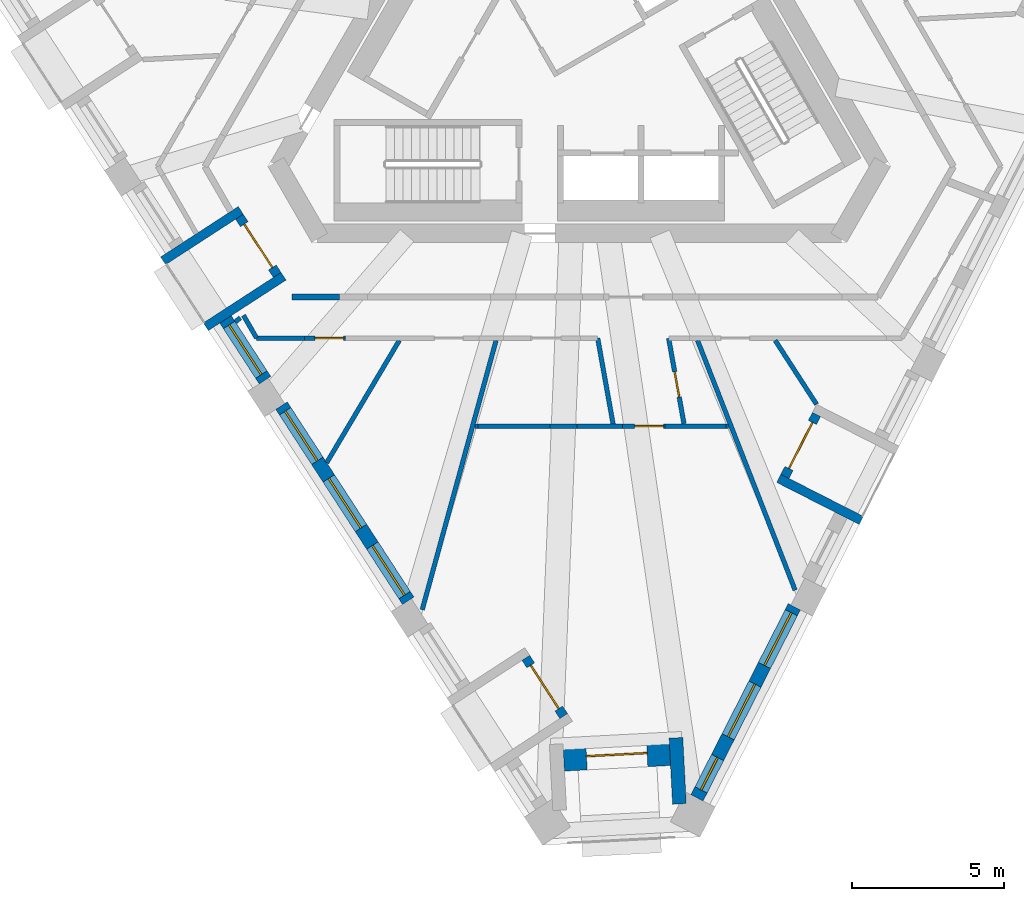
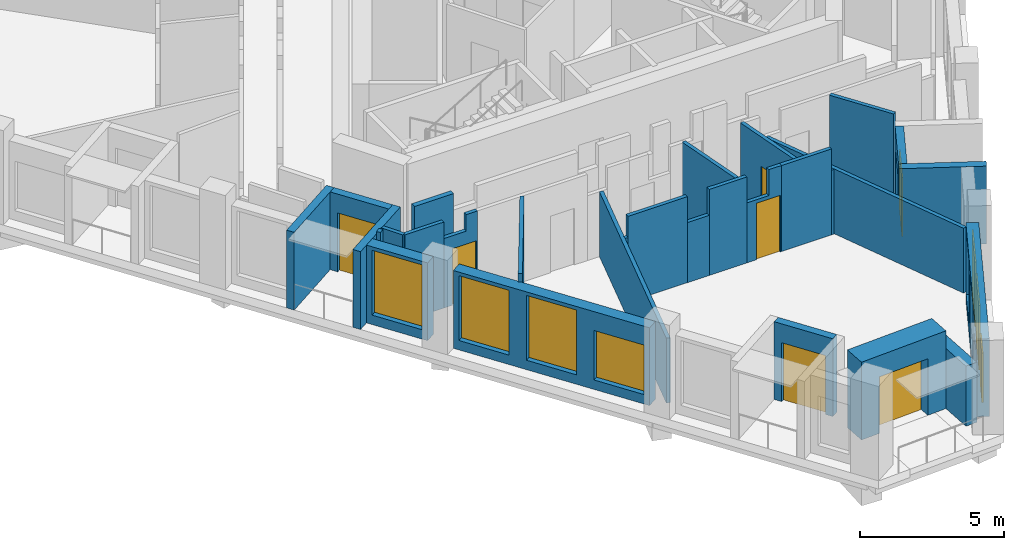
# One storey, part 2 of 12: 29 walls, 7 doors, 7 windows, 14 openings.
"""IFC4 building model written with IfcOpenShell, lengths in metres."""

from ifc_helpers import new_model, si_unit, direction, frame, frame_2d, origin, place, context, subcontext, project, spatial, polyline, rectangle, outline, extrude, material, layer, layer_set, type_object, element, fill, save


model = new_model("IFC4")

# Units and contexts
model_context = context("Model", 3, precision=1e-05, world=origin(), true_north=direction((0.0, 1.0)))
body_context = subcontext(model_context, "Body", "Model", "MODEL_VIEW")
ifc_project = project(units=[si_unit("LENGTHUNIT", "METRE"), si_unit("AREAUNIT", "SQUARE_METRE"), si_unit("VOLUMEUNIT", "CUBIC_METRE"), si_unit("PLANEANGLEUNIT", "RADIAN"), si_unit("MASSUNIT", "GRAM", prefix="KILO")], contexts=[model_context])

# Site, building, storey
site_placement = place(None, origin())
site = spatial("IfcSite", under=ifc_project, at=site_placement, CompositionType="ELEMENT")
building_placement = place(site_placement, origin())
building = spatial("IfcBuilding", under=site, at=building_placement, Name="Tramontana Tower", CompositionType="ELEMENT")
storey_placement = place(building_placement, frame((0.0, 0.0, 282.39990234375)))
storey = spatial("IfcBuildingStorey", under=building, at=storey_placement, Name="L66", CompositionType="ELEMENT", Elevation=282.39990234375)

# Wall
ifc_material_1 = material(Name="Blockwork", Category="masonry")
ifc_layer_1 = layer(ifc_material_1, 0.199951171875)
ifc_layer_set_1 = layer_set([ifc_layer_1], Name="ENTRY WALL 200")
wall_type_1 = type_object("IfcWallType", Name="ENTRY WALL 200", PredefinedType="SOLIDWALL", material=ifc_layer_set_1)
wall_1_placement = place(storey_placement, frame((-7.89599609375, -8.550048828125, 0.0), z_axis=(0.0, 0.0, 1.0), x_axis=(-1.0, 0.0, 0.0)))
element("IfcWall", 1, at=wall_1_placement, inside=storey, type_object=wall_type_1, Name="Wall v70-ew1-11", PredefinedType="SOLIDWALL", context=body_context, shape_type="SweptSolid", body=[
    extrude(rectangle(XDim=1.569580078125, YDim=0.199951171875, at=frame_2d((0.78466796875, 0.0))), origin(), (0.0, 0.0, 1.0), 3.650146484375),
])

# Wall, opening, window
ifc_material_2 = material(Name="Precast concrete 60 MPa", Category="concrete")
ifc_layer_2 = layer(ifc_material_2, 0.449951171875)
ifc_layer_set_2 = layer_set([ifc_layer_2], Name="Precast concrete 60 MPa, 450 mm")
wall_type_2 = type_object("IfcWallType", Name="EW1 Stone-faced precast wall 450", PredefinedType="SOLIDWALL", material=ifc_layer_set_2)
wall_2_placement = place(storey_placement, frame((-11.647216796875, -9.284912109375, 0.0), z_axis=(0.0, 0.0, 1.0), x_axis=(0.544722247615, -0.838616523182, 0.0)))
wall_2 = element("IfcWall", 2, at=wall_2_placement, inside=storey, type_object=wall_type_2, Name="External wall L66 face 0 bay 3", PredefinedType="SOLIDWALL", context=body_context, shape_type="SweptSolid", body=[
    extrude(rectangle(XDim=2.38671875, YDim=0.449951171875, at=frame_2d((1.193359375, 0.0))), origin(), (0.0, 0.0, 1.0), 3.300048828125),
])
opening_1_placement = place(wall_2_placement, frame((0.21826171875, 0.0, 0.39990234375)))
opening_1 = element("IfcOpeningElement", 3, at=opening_1_placement, cuts=wall_2, Name="Opening M3", PredefinedType="OPENING", context=body_context, shape_type="SweptSolid", body=[
    extrude(rectangle(XDim=1.949951171875, YDim=2.75, at=frame_2d((0.97509765625, 1.375))), frame((0.0, 0.23486328125, 0.0), z_axis=(0.0, -1.0, 0.0), x_axis=(1.0, 0.0, 0.0)), (0.0, 0.0, 1.0), 0.469970703125),
])
ifc_material_3 = material(Name="Aluminum frame, double glazing unit", Category="aluminium")
window_type_1 = type_object("IfcWindowType", Name="M3 Window 1.95 x 2.75", PartitioningType="SINGLE_PANEL", PredefinedType="WINDOW", material=ifc_material_3)
window_1_placement = place(opening_1_placement, origin())
window_1 = element("IfcWindow", 4, at=window_1_placement, inside=storey, type_object=window_type_1, Name="Window M3 L66 face 0 module 9", OverallHeight=2.75, OverallWidth=1.949951171875, PartitioningType="SINGLE_PANEL", PredefinedType="WINDOW", context=body_context, shape_type="SweptSolid", body=[
    extrude(rectangle(XDim=1.949951171875, YDim=2.75, at=frame_2d((0.97509765625, 1.375))), frame((0.0, 0.030029296875, 0.0), z_axis=(0.0, -1.0, 0.0), x_axis=(1.0, 0.0, 0.0)), (0.0, 0.0, 1.0), 0.06005859375),
])
fill(opening_1, window_1)

# Wall, openings, windows
wall_3_placement = place(storey_placement, frame((-9.802734375, -12.125244140625, 0.0), z_axis=(0.0, 0.0, 1.0), x_axis=(0.544649987904, -0.838663454954, 0.0)))
wall_3 = element("IfcWall", 5, at=wall_3_placement, inside=storey, type_object=wall_type_2, Name="External wall L66 face 0 bay 4", PredefinedType="SOLIDWALL", context=body_context, shape_type="SweptSolid", body=[
    extrude(rectangle(XDim=7.66015625, YDim=0.449951171875, at=frame_2d((3.830078125, 0.0))), origin(), (0.0, 0.0, 1.0), 3.300048828125),
])
opening_2_placement = place(wall_3_placement, frame((0.21826171875, 0.0, 0.39990234375)))
opening_2 = element("IfcOpeningElement", 6, at=opening_2_placement, cuts=wall_3, Name="Opening M3", PredefinedType="OPENING", context=body_context, shape_type="SweptSolid", body=[
    extrude(rectangle(XDim=1.949951171875, YDim=2.75, at=frame_2d((0.97509765625, 1.375))), frame((0.0, 0.23486328125, 0.0), z_axis=(0.0, -1.0, 0.0), x_axis=(1.0, 0.0, 0.0)), (0.0, 0.0, 1.0), 0.469970703125),
])
opening_3_placement = place(wall_3_placement, frame((2.855224609375, 0.0, 0.39990234375)))
opening_3 = element("IfcOpeningElement", 7, at=opening_3_placement, cuts=wall_3, Name="Opening M3", PredefinedType="OPENING", context=body_context, shape_type="SweptSolid", body=[
    extrude(rectangle(XDim=1.949951171875, YDim=2.75, at=frame_2d((0.97509765625, 1.375))), frame((0.0, 0.23486328125, 0.0), z_axis=(0.0, -1.0, 0.0), x_axis=(1.0, 0.0, 0.0)), (0.0, 0.0, 1.0), 0.469970703125),
])
opening_4_placement = place(wall_3_placement, frame((5.491943359375, 0.0, 0.39990234375)))
opening_4 = element("IfcOpeningElement", 8, at=opening_4_placement, cuts=wall_3, Name="Opening M3L", PredefinedType="OPENING", context=body_context, shape_type="SweptSolid", body=[
    extrude(rectangle(XDim=1.949951171875, YDim=2.10009765625, at=frame_2d((0.97509765625, 1.050048828125))), frame((0.0, 0.23486328125, 0.0), z_axis=(0.0, -1.0, 0.0), x_axis=(1.0, 0.0, 0.0)), (0.0, 0.0, 1.0), 0.469970703125),
])
window_2_placement = place(opening_2_placement, origin())
window_2 = element("IfcWindow", 9, at=window_2_placement, inside=storey, type_object=window_type_1, Name="Window M3 L66 face 0 module 10", OverallHeight=2.75, OverallWidth=1.949951171875, PartitioningType="SINGLE_PANEL", PredefinedType="WINDOW", context=body_context, shape_type="SweptSolid", body=[
    extrude(rectangle(XDim=1.949951171875, YDim=2.75, at=frame_2d((0.97509765625, 1.375))), frame((0.0, 0.030029296875, 0.0), z_axis=(0.0, -1.0, 0.0), x_axis=(1.0, 0.0, 0.0)), (0.0, 0.0, 1.0), 0.06005859375),
])
fill(opening_2, window_2)
window_3_placement = place(opening_3_placement, origin())
window_3 = element("IfcWindow", 10, at=window_3_placement, inside=storey, type_object=window_type_1, Name="Window M3 L66 face 0 module 11", OverallHeight=2.75, OverallWidth=1.949951171875, PartitioningType="SINGLE_PANEL", PredefinedType="WINDOW", context=body_context, shape_type="SweptSolid", body=[
    extrude(rectangle(XDim=1.949951171875, YDim=2.75, at=frame_2d((0.97509765625, 1.375))), frame((0.0, 0.030029296875, 0.0), z_axis=(0.0, -1.0, 0.0), x_axis=(1.0, 0.0, 0.0)), (0.0, 0.0, 1.0), 0.06005859375),
])
fill(opening_3, window_3)
ifc_material_4 = material(Name="Aluminum frame, double glazing unit", Category="aluminium")
window_type_2 = type_object("IfcWindowType", Name="M3L Window 1.95 x 2.1", PartitioningType="SINGLE_PANEL", PredefinedType="WINDOW", material=ifc_material_4)
window_4_placement = place(opening_4_placement, origin())
window_4 = element("IfcWindow", 11, at=window_4_placement, inside=storey, type_object=window_type_2, Name="Window M3L L66 face 0 module 12", OverallHeight=2.10009765625, OverallWidth=1.949951171875, PartitioningType="SINGLE_PANEL", PredefinedType="WINDOW", context=body_context, shape_type="SweptSolid", body=[
    extrude(rectangle(XDim=1.949951171875, YDim=2.10009765625, at=frame_2d((0.97509765625, 1.050048828125))), frame((0.0, 0.030029296875, 0.0), z_axis=(0.0, -1.0, 0.0), x_axis=(1.0, 0.0, 0.0)), (0.0, 0.0, 1.0), 0.06005859375),
])
fill(opening_4, window_4)

wall_4_placement = place(storey_placement, frame((3.87939453125, -25.041259765625, 0.0), z_axis=(0.0, 0.0, 1.0), x_axis=(0.453992084912, 0.891005716501, 0.0)))
wall_4 = element("IfcWall", 12, at=wall_4_placement, inside=storey, type_object=wall_type_2, Name="External wall L66 face 1 bay 1", PredefinedType="SOLIDWALL", context=body_context, shape_type="SweptSolid", body=[
    extrude(rectangle(XDim=7.060302734375, YDim=0.449951171875, at=frame_2d((3.5302734375, 0.0))), origin(), (0.0, 0.0, 1.0), 3.300048828125),
])
opening_5_placement = place(wall_4_placement, frame((0.29345703125, 0.0, 0.39990234375)))
opening_5 = element("IfcOpeningElement", 13, at=opening_5_placement, cuts=wall_4, Name="Opening N3L", PredefinedType="OPENING", context=body_context, shape_type="SweptSolid", body=[
    extrude(rectangle(XDim=1.199951171875, YDim=2.10009765625, at=frame_2d((0.60009765625, 1.050048828125))), frame((0.0, 0.23486328125, 0.0), z_axis=(0.0, -1.0, 0.0), x_axis=(1.0, 0.0, 0.0)), (0.0, 0.0, 1.0), 0.469970703125),
])
opening_6_placement = place(wall_4_placement, frame((2.255126953125, 0.0, 0.39990234375)))
opening_6 = element("IfcOpeningElement", 14, at=opening_6_placement, cuts=wall_4, Name="Opening M3", PredefinedType="OPENING", context=body_context, shape_type="SweptSolid", body=[
    extrude(rectangle(XDim=1.949951171875, YDim=2.75, at=frame_2d((0.97509765625, 1.375))), frame((0.0, 0.23486328125, 0.0), z_axis=(0.0, -1.0, 0.0), x_axis=(1.0, 0.0, 0.0)), (0.0, 0.0, 1.0), 0.469970703125),
])
opening_7_placement = place(wall_4_placement, frame((4.891845703125, 0.0, 0.39990234375)))
opening_7 = element("IfcOpeningElement", 15, at=opening_7_placement, cuts=wall_4, Name="Opening M3", PredefinedType="OPENING", context=body_context, shape_type="SweptSolid", body=[
    extrude(rectangle(XDim=1.949951171875, YDim=2.75, at=frame_2d((0.97509765625, 1.375))), frame((0.0, 0.23486328125, 0.0), z_axis=(0.0, -1.0, 0.0), x_axis=(1.0, 0.0, 0.0)), (0.0, 0.0, 1.0), 0.469970703125),
])
window_5_placement = place(opening_6_placement, origin())
window_5 = element("IfcWindow", 16, at=window_5_placement, inside=storey, type_object=window_type_1, Name="Window M3 L66 face 1 module 2", OverallHeight=2.75, OverallWidth=1.949951171875, PartitioningType="SINGLE_PANEL", PredefinedType="WINDOW", context=body_context, shape_type="SweptSolid", body=[
    extrude(rectangle(XDim=1.949951171875, YDim=2.75, at=frame_2d((0.97509765625, 1.375))), frame((0.0, 0.030029296875, 0.0), z_axis=(0.0, -1.0, 0.0), x_axis=(1.0, 0.0, 0.0)), (0.0, 0.0, 1.0), 0.06005859375),
])
fill(opening_6, window_5)
window_6_placement = place(opening_7_placement, origin())
window_6 = element("IfcWindow", 17, at=window_6_placement, inside=storey, type_object=window_type_1, Name="Window M3 L66 face 1 module 3", OverallHeight=2.75, OverallWidth=1.949951171875, PartitioningType="SINGLE_PANEL", PredefinedType="WINDOW", context=body_context, shape_type="SweptSolid", body=[
    extrude(rectangle(XDim=1.949951171875, YDim=2.75, at=frame_2d((0.97509765625, 1.375))), frame((0.0, 0.030029296875, 0.0), z_axis=(0.0, -1.0, 0.0), x_axis=(1.0, 0.0, 0.0)), (0.0, 0.0, 1.0), 0.06005859375),
])
fill(opening_7, window_6)
ifc_material_5 = material(Name="Aluminum frame, double glazing unit", Category="aluminium")
window_type_3 = type_object("IfcWindowType", Name="N3L Window 1.2 x 2.1", PartitioningType="SINGLE_PANEL", PredefinedType="WINDOW", material=ifc_material_5)
window_7_placement = place(opening_5_placement, origin())
window_7 = element("IfcWindow", 18, at=window_7_placement, inside=storey, type_object=window_type_3, Name="Window N3L L66 face 1 module 1", OverallHeight=2.10009765625, OverallWidth=1.199951171875, PartitioningType="SINGLE_PANEL", PredefinedType="WINDOW", context=body_context, shape_type="SweptSolid", body=[
    extrude(rectangle(XDim=1.199951171875, YDim=2.10009765625, at=frame_2d((0.60009765625, 1.050048828125))), frame((0.0, 0.030029296875, 0.0), z_axis=(0.0, -1.0, 0.0), x_axis=(1.0, 0.0, 0.0)), (0.0, 0.0, 1.0), 0.06005859375),
])
fill(opening_5, window_7)

# Wall
wall_5_placement = place(storey_placement, frame((3.300537109375, -25.240966796875, 0.0), z_axis=(0.0, 0.0, 1.0), x_axis=(-0.052323605405, 0.998630181958, 0.0)))
element("IfcWall", 19, at=wall_5_placement, inside=storey, type_object=wall_type_2, Name="Corner loggia side wall L66 K71l", PredefinedType="SOLIDWALL", context=body_context, shape_type="SweptSolid", body=[
    extrude(rectangle(XDim=2.178955078125, YDim=0.449951171875, at=frame_2d((1.08935546875, 0.0))), origin(), (0.0, 0.0, 1.0), 2.550048828125),
])

# Wall, opening, door
ifc_material_6 = material(Name="Precast concrete 60 MPa", Category="concrete")
ifc_layer_3 = layer(ifc_material_6, 0.89990234375)
ifc_layer_set_3 = layer_set([ifc_layer_3], Name="EW2 Stone-faced corner loggia wall 900")
wall_type_3 = type_object("IfcWallType", Name="EW2 Stone-faced corner loggia wall 900", PredefinedType="SOLIDWALL", material=ifc_layer_set_3)
wall_6_placement = place(storey_placement, frame((2.9853515625, -23.52587890625, 0.0), z_axis=(0.0, 0.0, 1.0), x_axis=(-0.998626871225, -0.0523867547, 0.0)))
wall_6 = element("IfcWall", 20, at=wall_6_placement, inside=storey, type_object=wall_type_3, Name="Corner loggia wall L66 K71", PredefinedType="SOLIDWALL", context=body_context, shape_type="SweptSolid", body=[
    extrude(rectangle(XDim=3.5, YDim=0.89990234375, at=frame_2d((1.75, 0.0))), origin(), (0.0, 0.0, 1.0), 3.300048828125),
])
opening_8_placement = place(wall_6_placement, frame((0.75, 0.0, 0.0)))
opening_8 = element("IfcOpeningElement", 21, at=opening_8_placement, cuts=wall_6, Name="Opening BD-71C", PredefinedType="OPENING", context=body_context, shape_type="SweptSolid", body=[
    extrude(rectangle(XDim=2.0, YDim=2.39990234375, at=frame_2d((1.0, 1.199951171875))), frame((0.0, 0.4599609375, 0.0), z_axis=(0.0, -1.0, 0.0), x_axis=(1.0, 0.0, 0.0)), (0.0, 0.0, 1.0), 0.919921875),
])
ifc_material_7 = material(Name="Aluminum frame, double glazing unit", Category="aluminium")
door_type_1 = type_object("IfcDoorType", Name="BC1 Sliding door 2 x 2.4", OperationType="SLIDING_TO_LEFT", PredefinedType="DOOR", material=ifc_material_7)
door_1_placement = place(opening_8_placement, origin())
door_1 = element("IfcDoor", 22, at=door_1_placement, inside=storey, type_object=door_type_1, Name="Corner loggia door L66 K71", OperationType="SLIDING_TO_LEFT", OverallHeight=2.39990234375, OverallWidth=2.0, PredefinedType="DOOR", context=body_context, shape_type="SweptSolid", body=[
    extrude(rectangle(XDim=2.0, YDim=2.39990234375, at=frame_2d((1.0, 1.199951171875))), frame((0.0, 0.02490234375, 0.0), z_axis=(0.0, -1.0, 0.0), x_axis=(1.0, 0.0, 0.0)), (0.0, 0.0, 1.0), 0.050048828125),
])
fill(opening_8, door_1)

ifc_material_8 = material(Name="Precast concrete 60 MPa", Category="concrete")
ifc_layer_4 = layer(ifc_material_8, 0.300048828125)
ifc_layer_set_4 = layer_set([ifc_layer_4], Name="LW1 Stone-faced loggia wall 300")
wall_type_4 = type_object("IfcWallType", Name="LW1 Stone-faced loggia wall 300", PredefinedType="SOLIDWALL", material=ifc_layer_set_4)
wall_7_placement = place(storey_placement, frame((-11.18994140625, -5.903564453125, 0.0), z_axis=(0.0, 0.0, 1.0), x_axis=(0.544631777146, -0.838675281216, 0.0)))
wall_7 = element("IfcWall", 23, at=wall_7_placement, inside=storey, type_object=wall_type_4, Name="Loggia wall L66 G7S0.7", PredefinedType="SOLIDWALL", context=body_context, shape_type="SweptSolid", body=[
    extrude(rectangle(XDim=2.28662109375, YDim=0.300048828125, at=frame_2d((1.143310546875, 0.0))), origin(), (0.0, 0.0, 1.0), 3.300048828125),
])
opening_9_placement = place(wall_7_placement, frame((0.29345703125, 0.0, 0.0)))
opening_9 = element("IfcOpeningElement", 24, at=opening_9_placement, cuts=wall_7, Name="Opening BD-7S0-07", PredefinedType="OPENING", context=body_context, shape_type="SweptSolid", body=[
    extrude(rectangle(XDim=1.699951171875, YDim=2.5, at=frame_2d((0.85009765625, 1.25))), frame((0.0, 0.159912109375, 0.0), z_axis=(0.0, -1.0, 0.0), x_axis=(1.0, 0.0, 0.0)), (0.0, 0.0, 1.0), 0.320068359375),
])
ifc_material_9 = material(Name="Aluminum frame, double glazing unit", Category="aluminium")
door_type_2 = type_object("IfcDoorType", Name="BD3 Sliding door 1.7 x 2.5", OperationType="SLIDING_TO_LEFT", PredefinedType="DOOR", material=ifc_material_9)
door_2_placement = place(opening_9_placement, origin())
door_2 = element("IfcDoor", 25, at=door_2_placement, inside=storey, type_object=door_type_2, Name="Loggia door L66 G7S0.7", OperationType="SLIDING_TO_LEFT", OverallHeight=2.5, OverallWidth=1.699951171875, PredefinedType="DOOR", context=body_context, shape_type="SweptSolid", body=[
    extrude(rectangle(XDim=1.699951171875, YDim=2.5, at=frame_2d((0.85009765625, 1.25))), frame((0.0, 0.02490234375, 0.0), z_axis=(0.0, -1.0, 0.0), x_axis=(1.0, 0.0, 0.0)), (0.0, 0.0, 1.0), 0.050048828125),
])
fill(opening_9, door_2)

# Walls
wall_8_placement = place(storey_placement, frame((-13.703857421875, -7.357177734375, 0.0), z_axis=(0.0, 0.0, 1.0), x_axis=(0.838688583525, 0.544611292451, 0.0)))
element("IfcWall", 26, at=wall_8_placement, inside=storey, type_object=wall_type_4, Name="Loggia return L66 G7S0.7a", PredefinedType="SOLIDWALL", context=body_context, shape_type="SweptSolid", body=[
    extrude(rectangle(XDim=3.050048828125, YDim=0.300048828125, at=frame_2d((1.52490234375, 0.0))), origin(), (0.0, 0.0, 1.0), 3.300048828125),
])
wall_9_placement = place(storey_placement, frame((-12.294921875, -9.526611328125, 0.0), z_axis=(0.0, 0.0, 1.0), x_axis=(0.838664840319, 0.544647854685, 0.0)))
element("IfcWall", 27, at=wall_9_placement, inside=storey, type_object=wall_type_4, Name="Loggia return L66 G7S0.7b", PredefinedType="SOLIDWALL", context=body_context, shape_type="SweptSolid", body=[
    extrude(rectangle(XDim=3.0498046875, YDim=0.300048828125, at=frame_2d((1.52490234375, 0.0))), origin(), (0.0, 0.0, 1.0), 3.300048828125),
])

# Wall, opening, door
wall_10_placement = place(storey_placement, frame((-1.756591796875, -20.4296875, 0.0), z_axis=(0.0, 0.0, 1.0), x_axis=(0.544658103125, -0.838658184662, 0.0)))
wall_10 = element("IfcWall", 28, at=wall_10_placement, inside=storey, type_object=wall_type_4, Name="Loggia wall L66 G7S0.13", PredefinedType="SOLIDWALL", context=body_context, shape_type="SweptSolid", body=[
    extrude(rectangle(XDim=2.286865234375, YDim=0.300048828125, at=frame_2d((1.1435546875, 0.0))), origin(), (0.0, 0.0, 1.0), 3.300048828125),
])
opening_10_placement = place(wall_10_placement, frame((0.29345703125, 0.0, 0.0)))
opening_10 = element("IfcOpeningElement", 29, at=opening_10_placement, cuts=wall_10, Name="Opening BD-7S0-13", PredefinedType="OPENING", context=body_context, shape_type="SweptSolid", body=[
    extrude(rectangle(XDim=1.699951171875, YDim=2.5, at=frame_2d((0.85009765625, 1.25))), frame((0.0, 0.159912109375, 0.0), z_axis=(0.0, -1.0, 0.0), x_axis=(1.0, 0.0, 0.0)), (0.0, 0.0, 1.0), 0.320068359375),
])
door_3_placement = place(opening_10_placement, origin())
door_3 = element("IfcDoor", 30, at=door_3_placement, inside=storey, type_object=door_type_2, Name="Loggia door L66 G7S0.13", OperationType="SLIDING_TO_LEFT", OverallHeight=2.5, OverallWidth=1.699951171875, PredefinedType="DOOR", context=body_context, shape_type="SweptSolid", body=[
    extrude(rectangle(XDim=1.699951171875, YDim=2.5, at=frame_2d((0.85009765625, 1.25))), frame((0.0, 0.02490234375, 0.0), z_axis=(0.0, -1.0, 0.0), x_axis=(1.0, 0.0, 0.0)), (0.0, 0.0, 1.0), 0.050048828125),
])
fill(opening_10, door_3)

wall_11_placement = place(storey_placement, frame((6.77587890625, -14.455322265625, 0.0), z_axis=(0.0, 0.0, 1.0), x_axis=(0.454076116559, 0.890962895058, 0.0)))
wall_11 = element("IfcWall", 31, at=wall_11_placement, inside=storey, type_object=wall_type_4, Name="Loggia wall L66 G7S1.4", PredefinedType="SOLIDWALL", context=body_context, shape_type="SweptSolid", body=[
    extrude(rectangle(XDim=2.28662109375, YDim=0.300048828125, at=frame_2d((1.143310546875, 0.0))), origin(), (0.0, 0.0, 1.0), 3.300048828125),
])
opening_11_placement = place(wall_11_placement, frame((0.29345703125, 0.0, 0.0)))
opening_11 = element("IfcOpeningElement", 32, at=opening_11_placement, cuts=wall_11, Name="Opening BD-7S1-04", PredefinedType="OPENING", context=body_context, shape_type="SweptSolid", body=[
    extrude(rectangle(XDim=1.699951171875, YDim=2.5, at=frame_2d((0.85009765625, 1.25))), frame((0.0, 0.159912109375, 0.0), z_axis=(0.0, -1.0, 0.0), x_axis=(1.0, 0.0, 0.0)), (0.0, 0.0, 1.0), 0.320068359375),
])
door_4_placement = place(opening_11_placement, origin())
door_4 = element("IfcDoor", 33, at=door_4_placement, inside=storey, type_object=door_type_2, Name="Loggia door L66 G7S1.4", OperationType="SLIDING_TO_LEFT", OverallHeight=2.5, OverallWidth=1.699951171875, PredefinedType="DOOR", context=body_context, shape_type="SweptSolid", body=[
    extrude(rectangle(XDim=1.699951171875, YDim=2.5, at=frame_2d((0.85009765625, 1.25))), frame((0.0, 0.02490234375, 0.0), z_axis=(0.0, -1.0, 0.0), x_axis=(1.0, 0.0, 0.0)), (0.0, 0.0, 1.0), 0.050048828125),
])
fill(opening_11, door_4)

# Walls
wall_12_placement = place(storey_placement, frame((9.291748046875, -15.905517578125, 0.0), z_axis=(0.0, 0.0, 1.0), x_axis=(-0.891023613249, 0.453956959009, 0.0)))
element("IfcWall", 34, at=wall_12_placement, inside=storey, type_object=wall_type_4, Name="Loggia return L66 G7S1.4a", PredefinedType="SOLIDWALL", context=body_context, shape_type="SweptSolid", body=[
    extrude(rectangle(XDim=3.0498046875, YDim=0.300048828125, at=frame_2d((1.52490234375, 0.0))), origin(), (0.0, 0.0, 1.0), 3.300048828125),
])
ifc_material_10 = material(Name="Gypsum board partition")
ifc_layer_5 = layer(ifc_material_10, 0.14990234375)
ifc_layer_set_5 = layer_set([ifc_layer_5], Name="PARTITION 150")
wall_type_5 = type_object("IfcWallType", Name="PARTITION 150", PredefinedType="PARTITIONING", material=ifc_layer_set_5)
wall_13_placement = place(storey_placement, frame((-11.158935546875, -9.23193359375, 0.0), z_axis=(0.0, 0.0, 1.0), x_axis=(-0.770548519297, -0.637381345357, 0.0)))
element("IfcWall", 35, at=wall_13_placement, inside=storey, type_object=wall_type_5, Name="Wall v70-pw05", PredefinedType="PARTITIONING", context=body_context, shape_type="SweptSolid", body=[
    extrude(rectangle(XDim=0.214599609375, YDim=0.14990234375, at=frame_2d((0.107421875, 0.0))), origin(), (0.0, 0.0, 1.0), 3.650146484375),
])
wall_14_placement = place(storey_placement, frame((-10.623291015625, -9.89990234375, 0.0), z_axis=(0.0, 0.0, 1.0), x_axis=(-0.499999740363, 0.866025553686, 0.0)))
element("IfcWall", 36, at=wall_14_placement, inside=storey, type_object=wall_type_5, Name="Wall v70-pw06", PredefinedType="PARTITIONING", context=body_context, shape_type="SweptSolid", body=[
    extrude(rectangle(XDim=0.86376953125, YDim=0.14990234375, at=frame_2d((0.431884765625, 0.0))), origin(), (0.0, 0.0, 1.0), 3.650146484375),
])
wall_15_placement = place(storey_placement, frame((-8.31396484375, -14.00439453125, 0.0), z_axis=(0.0, 0.0, 1.0), x_axis=(0.510490601778, 0.859883332491, 0.0)))
element("IfcWall", 37, at=wall_15_placement, inside=storey, type_object=wall_type_5, Name="Wall v70-pw09", PredefinedType="PARTITIONING", context=body_context, shape_type="SweptSolid", body=[
    extrude(rectangle(XDim=4.685791015625, YDim=0.14990234375, at=frame_2d((2.3427734375, 0.0))), origin(), (0.0, 0.0, 1.0), 3.650146484375),
])
wall_16_placement = place(storey_placement, frame((-5.16943359375, -18.846435546875, 0.0), z_axis=(0.0, 0.0, 1.0), x_axis=(0.264522923164, 0.964379397914, 0.0)))
element("IfcWall", 38, at=wall_16_placement, inside=storey, type_object=wall_type_5, Name="Wall v70-pw11-0", PredefinedType="PARTITIONING", context=body_context, shape_type="SweptSolid", body=[
    extrude(rectangle(XDim=9.198974609375, YDim=0.14990234375, at=frame_2d((4.599609375, 0.0))), origin(), (0.0, 0.0, 1.0), 2.75),
])

# Wall, opening, door
wall_17_placement = place(storey_placement, frame((-7.703857421875, -9.89990234375, 0.0), z_axis=(0.0, 0.0, 1.0), x_axis=(-1.0, 0.0, 0.0)))
wall_17 = element("IfcWall", 39, at=wall_17_placement, inside=storey, type_object=wall_type_5, Name="Wall v70-pw14-5", PredefinedType="PARTITIONING", context=body_context, shape_type="SweptSolid", body=[
    extrude(outline(polyline([(0.0, 0.0), (1.348876953125, 0.0), (1.34912109375, 2.9501953125), (0.45458984375, 2.9501953125), (0.45458984375, 3.650146484375), (0.0, 3.650146484375), (0.0, 0.0)])), frame((0.0, 0.074951171875, 0.0), z_axis=(0.0, -1.0, 0.0), x_axis=(1.0, 0.0, 0.0)), (0.0, 0.0, 1.0), 0.14990234375),
])
opening_12_placement = place(wall_17_placement, frame((0.050048828125, 0.0, 0.0)))
opening_12 = element("IfcOpeningElement", 40, at=opening_12_placement, cuts=wall_17, Name="Opening B7A-11", PredefinedType="OPENING", context=body_context, shape_type="SweptSolid", body=[
    extrude(rectangle(XDim=0.949951171875, YDim=2.39990234375, at=frame_2d((0.47509765625, 1.199951171875))), frame((0.0, 0.0849609375, 0.0), z_axis=(0.0, -1.0, 0.0), x_axis=(1.0, 0.0, 0.0)), (0.0, 0.0, 1.0), 0.169921875),
])
ifc_material_11 = material(Name="Painted timber", Category="wood")
door_type_3 = type_object("IfcDoorType", Name="DOOR ROOM 950", OperationType="SINGLE_SWING_LEFT", PredefinedType="DOOR", material=ifc_material_11)
door_5_placement = place(opening_12_placement, origin())
door_5 = element("IfcDoor", 41, at=door_5_placement, inside=storey, type_object=door_type_3, Name="Door B7A-11", OperationType="SINGLE_SWING_LEFT", OverallHeight=2.39990234375, OverallWidth=0.949951171875, PredefinedType="DOOR", context=body_context, shape_type="SweptSolid", body=[
    extrude(rectangle(XDim=0.949951171875, YDim=2.39990234375, at=frame_2d((0.47509765625, 1.199951171875))), frame((0.0, 0.02490234375, 0.0), z_axis=(0.0, -1.0, 0.0), x_axis=(1.0, 0.0, 0.0)), (0.0, 0.0, 1.0), 0.050048828125),
])
fill(opening_12, door_5)

# Walls
wall_18_placement = place(storey_placement, frame((-9.052734375, -9.89990234375, 0.0), z_axis=(0.0, 0.0, 1.0), x_axis=(-1.0, 0.0, 0.0)))
element("IfcWall", 42, at=wall_18_placement, inside=storey, type_object=wall_type_5, Name="Wall v70-pw14-6", PredefinedType="PARTITIONING", context=body_context, shape_type="SweptSolid", body=[
    extrude(rectangle(XDim=1.5703125, YDim=0.14990234375, at=frame_2d((0.78515625, 0.0))), origin(), (0.0, 0.0, 1.0), 3.650146484375),
])
wall_19_placement = place(storey_placement, frame((1.1279296875, -12.797119140625, 0.0), z_axis=(0.0, 0.0, 1.0), x_axis=(-0.176626932502, 0.984277870682, 0.0)))
element("IfcWall", 43, at=wall_19_placement, inside=storey, type_object=wall_type_5, Name="Wall v70-pw16", PredefinedType="PARTITIONING", context=body_context, shape_type="SweptSolid", body=[
    extrude(rectangle(XDim=2.93994140625, YDim=0.14990234375, at=frame_2d((1.469970703125, 0.0))), origin(), (0.0, 0.0, 1.0), 3.650146484375),
])

# Wall, opening, door
wall_20_placement = place(storey_placement, frame((2.945556640625, -9.90478515625, 0.0), z_axis=(0.0, 0.0, 1.0), x_axis=(0.17664289563, -0.984275005993, 0.0)))
wall_20 = element("IfcWall", 44, at=wall_20_placement, inside=storey, type_object=wall_type_5, Name="Wall v70-pw17", PredefinedType="PARTITIONING", context=body_context, shape_type="SweptSolid", body=[
    extrude(rectangle(XDim=2.865234375, YDim=0.14990234375, at=frame_2d((1.4326171875, 0.0))), origin(), (0.0, 0.0, 1.0), 3.650146484375),
])
opening_13_placement = place(wall_20_placement, frame((1.1201171875, 0.0, 0.0)))
opening_13 = element("IfcOpeningElement", 45, at=opening_13_placement, cuts=wall_20, Name="Opening B7A-08", PredefinedType="OPENING", context=body_context, shape_type="SweptSolid", body=[
    extrude(rectangle(XDim=0.85009765625, YDim=2.39990234375, at=frame_2d((0.425048828125, 1.199951171875))), frame((0.0, 0.0849609375, 0.0), z_axis=(0.0, -1.0, 0.0), x_axis=(1.0, 0.0, 0.0)), (0.0, 0.0, 1.0), 0.169921875),
])
ifc_material_12 = material(Name="Painted timber", Category="wood")
door_type_4 = type_object("IfcDoorType", Name="DOOR BATH 850", OperationType="SINGLE_SWING_LEFT", PredefinedType="DOOR", material=ifc_material_12)
door_6_placement = place(opening_13_placement, origin())
door_6 = element("IfcDoor", 46, at=door_6_placement, inside=storey, type_object=door_type_4, Name="Door B7A-08", OperationType="SINGLE_SWING_RIGHT", OverallHeight=2.39990234375, OverallWidth=0.85009765625, PredefinedType="DOOR", context=body_context, shape_type="SweptSolid", body=[
    extrude(rectangle(XDim=0.85009765625, YDim=2.39990234375, at=frame_2d((0.425048828125, 1.199951171875))), frame((0.0, 0.02490234375, 0.0), z_axis=(0.0, -1.0, 0.0), x_axis=(1.0, 0.0, 0.0)), (0.0, 0.0, 1.0), 0.050048828125),
])
fill(opening_13, door_6)

# Walls
wall_21_placement = place(storey_placement, frame((3.89697265625, -9.97509765625, 0.0), z_axis=(0.0, 0.0, 1.0), x_axis=(0.363873008582, -0.931448567354, 0.0)))
element("IfcWall", 47, at=wall_21_placement, inside=storey, type_object=wall_type_5, Name="Wall v70-pw19-0", PredefinedType="PARTITIONING", context=body_context, shape_type="SweptSolid", body=[
    extrude(rectangle(XDim=8.8330078125, YDim=0.14990234375, at=frame_2d((4.41650390625, 0.0))), origin(), (0.0, 0.0, 1.0), 2.75),
])
wall_22_placement = place(storey_placement, frame((4.919921875, -12.800048828125, 0.0), z_axis=(0.0, 0.0, 1.0), x_axis=(-1.0, 0.0, 0.0)))
element("IfcWall", 48, at=wall_22_placement, inside=storey, type_object=wall_type_5, Name="Wall v70-pw20-0", PredefinedType="PARTITIONING", context=body_context, shape_type="SweptSolid", body=[
    extrude(rectangle(XDim=0.09033203125, YDim=0.14990234375, at=frame_2d((0.045166015625, 0.0))), origin(), (0.0, 0.0, 1.0), 2.75),
])
wall_23_placement = place(storey_placement, frame((4.82958984375, -12.800048828125, 0.0), z_axis=(0.0, 0.0, 1.0), x_axis=(-1.0, 0.0, 0.0)))
element("IfcWall", 49, at=wall_23_placement, inside=storey, type_object=wall_type_5, Name="Wall v70-pw20-1", PredefinedType="PARTITIONING", context=body_context, shape_type="SweptSolid", body=[
    extrude(rectangle(XDim=2.008056640625, YDim=0.14990234375, at=frame_2d((1.00390625, 0.0))), origin(), (0.0, 0.0, 1.0), 3.650146484375),
])

# Wall, opening, door
wall_24_placement = place(storey_placement, frame((2.821533203125, -12.800048828125, 0.0), z_axis=(0.0, 0.0, 1.0), x_axis=(-1.0, 0.0, 0.0)))
wall_24 = element("IfcWall", 50, at=wall_24_placement, inside=storey, type_object=wall_type_5, Name="Wall v70-pw20-2", PredefinedType="PARTITIONING", context=body_context, shape_type="SweptSolid", body=[
    extrude(outline(polyline([(0.0, 0.0), (1.392333984375, 0.0), (1.392333984375, 2.550048828125), (0.508056640625, 2.550048828125), (0.508056640625, 3.650146484375), (0.0, 3.650146484375), (0.0, 0.0)])), frame((0.0, 0.074951171875, 0.0), z_axis=(0.0, -1.0, 0.0), x_axis=(1.0, 0.0, 0.0)), (0.0, 0.0, 1.0), 0.14990234375),
])
opening_14_placement = place(wall_24_placement, frame((0.050048828125, 0.0, 0.0)))
opening_14 = element("IfcOpeningElement", 51, at=opening_14_placement, cuts=wall_24, Name="Opening B7A-09", PredefinedType="OPENING", context=body_context, shape_type="SweptSolid", body=[
    extrude(rectangle(XDim=0.949951171875, YDim=2.39990234375, at=frame_2d((0.47509765625, 1.199951171875))), frame((0.0, 0.0849609375, 0.0), z_axis=(0.0, -1.0, 0.0), x_axis=(1.0, 0.0, 0.0)), (0.0, 0.0, 1.0), 0.169921875),
])
door_7_placement = place(opening_14_placement, origin())
door_7 = element("IfcDoor", 52, at=door_7_placement, inside=storey, type_object=door_type_3, Name="Door B7A-09", OperationType="SINGLE_SWING_LEFT", OverallHeight=2.39990234375, OverallWidth=0.949951171875, PredefinedType="DOOR", context=body_context, shape_type="SweptSolid", body=[
    extrude(rectangle(XDim=0.949951171875, YDim=2.39990234375, at=frame_2d((0.47509765625, 1.199951171875))), frame((0.0, 0.02490234375, 0.0), z_axis=(0.0, -1.0, 0.0), x_axis=(1.0, 0.0, 0.0)), (0.0, 0.0, 1.0), 0.050048828125),
])
fill(opening_14, door_7)

# Walls
wall_25_placement = place(storey_placement, frame((1.42919921875, -12.800048828125, 0.0), z_axis=(0.0, 0.0, 1.0), x_axis=(-1.0, 0.0, 0.0)))
element("IfcWall", 53, at=wall_25_placement, inside=storey, type_object=wall_type_5, Name="Wall v70-pw20-3", PredefinedType="PARTITIONING", context=body_context, shape_type="SweptSolid", body=[
    extrude(rectangle(XDim=1.509521484375, YDim=0.14990234375, at=frame_2d((0.7548828125, 0.0))), origin(), (0.0, 0.0, 1.0), 3.650146484375),
])
wall_26_placement = place(storey_placement, frame((-0.080322265625, -12.800048828125, 0.0), z_axis=(0.0, 0.0, 1.0), x_axis=(-1.0, 0.0, 0.0)))
element("IfcWall", 54, at=wall_26_placement, inside=storey, type_object=wall_type_5, Name="Wall v70-pw20-4", PredefinedType="PARTITIONING", context=body_context, shape_type="SweptSolid", body=[
    extrude(rectangle(XDim=0.875732421875, YDim=0.14990234375, at=frame_2d((0.43798828125, 0.0))), origin(), (0.0, 0.0, 1.0), 2.550048828125),
])
wall_27_placement = place(storey_placement, frame((-0.9560546875, -12.800048828125, 0.0), z_axis=(0.0, 0.0, 1.0), x_axis=(-1.0, 0.0, 0.0)))
element("IfcWall", 55, at=wall_27_placement, inside=storey, type_object=wall_type_5, Name="Wall v70-pw20-5", PredefinedType="PARTITIONING", context=body_context, shape_type="SweptSolid", body=[
    extrude(rectangle(XDim=2.382080078125, YDim=0.14990234375, at=frame_2d((1.19091796875, 0.0))), origin(), (0.0, 0.0, 1.0), 3.650146484375),
])
wall_28_placement = place(storey_placement, frame((-3.338134765625, -12.800048828125, 0.0), z_axis=(0.0, 0.0, 1.0), x_axis=(-1.0, 0.0, 0.0)))
element("IfcWall", 56, at=wall_28_placement, inside=storey, type_object=wall_type_5, Name="Wall v70-pw20-6", PredefinedType="PARTITIONING", context=body_context, shape_type="SweptSolid", body=[
    extrude(rectangle(XDim=0.094970703125, YDim=0.14990234375, at=frame_2d((0.04736328125, 0.0))), origin(), (0.0, 0.0, 1.0), 2.75),
])
wall_29_placement = place(storey_placement, frame((6.453369140625, -9.97509765625, 0.0), z_axis=(0.0, 0.0, 1.0), x_axis=(0.543154479249, -0.839632783824, 0.0)))
element("IfcWall", 57, at=wall_29_placement, inside=storey, type_object=wall_type_5, Name="Wall v70-pw21", PredefinedType="PARTITIONING", context=body_context, shape_type="SweptSolid", body=[
    extrude(rectangle(XDim=2.510009765625, YDim=0.14990234375, at=frame_2d((1.2548828125, 0.0))), origin(), (0.0, 0.0, 1.0), 3.650146484375),
])

save(model, "model.ifc")
